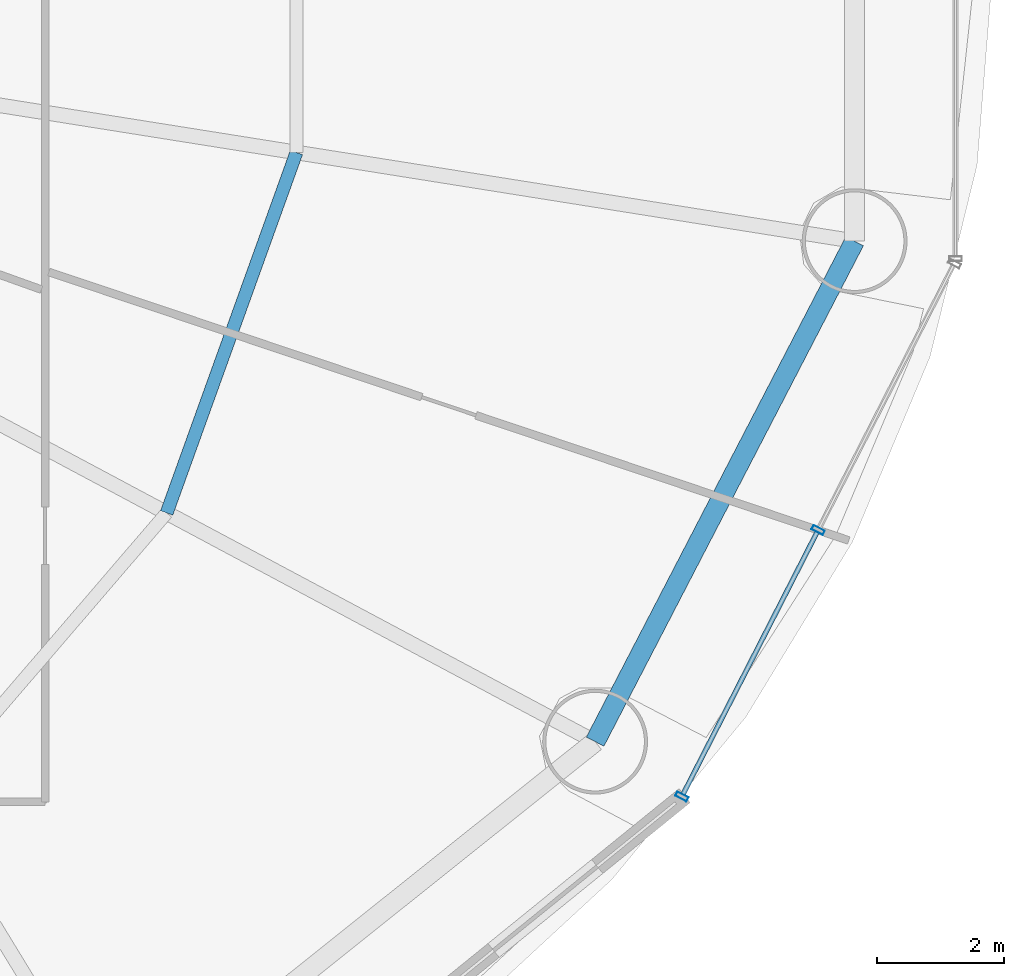
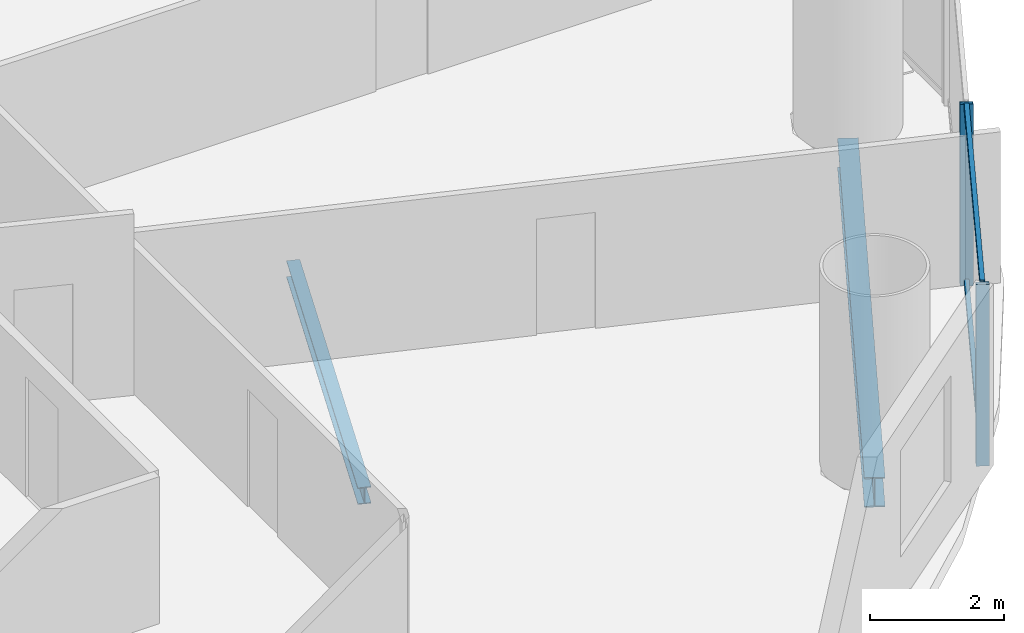
# One storey, part 13 of 30: 4 members, 2 beams, 1 element without a shape of its own.
"""IFC4 building model written with IfcOpenShell, lengths in metres."""

from ifc_helpers import new_model, si_unit, direction, frame, origin, origin_2d, place, context, subcontext, project, spatial, hollow_rectangle, i_section, extrude, source, transform, mapped, material, material_profile, profile_set, type_object, element, aggregate, save


model = new_model("IFC4")

# Units and contexts
model_context = context("Model", 3, precision=1e-05, world=origin(), true_north=direction((-0.2419218956, 0.970295726276)))
body_context = subcontext(model_context, "Body", "Model", "MODEL_VIEW")
ifc_project = project(units=[si_unit("LENGTHUNIT", "METRE"), si_unit("AREAUNIT", "SQUARE_METRE"), si_unit("VOLUMEUNIT", "CUBIC_METRE"), si_unit("PLANEANGLEUNIT", "RADIAN"), si_unit("MASSUNIT", "GRAM", prefix="KILO")], contexts=[model_context])

# Site, building, storey
site_placement = place(None, origin())
site = spatial("IfcSite", under=ifc_project, at=site_placement, CompositionType="ELEMENT")
building_placement = place(site_placement, origin())
building = spatial("IfcBuilding", under=site, at=building_placement, Name="Cobrevalo Terracotta Tower", CompositionType="ELEMENT")
storey_placement = place(building_placement, frame((0.0, 0.0, 63.60009765625)))
storey = spatial("IfcBuildingStorey", under=building, at=storey_placement, Name="L16", CompositionType="ELEMENT", Elevation=63.60009765625)

# Beams
ifc_material_1 = material(Name="Steel S355", Category="steel")
ifc_material_profile_1 = material_profile(ifc_material_1, i_section(OverallWidth=0.2041015625, OverallDepth=0.305908203125, WebThickness=0.008544921875, FlangeThickness=0.0146484375, at=origin_2d()), Name="W 310x67")
ifc_profile_set_1 = profile_set([ifc_material_profile_1], Name="Steel S355")
beam_type_1 = type_object("IfcBeamType", Name="Structural Joist W 310x67 (Steel S355)", PredefinedType="JOIST", material=ifc_profile_set_1)
beam_1_placement = place(storey_placement, frame((53.997802734375, 18.26025390625, -0.43310546875), z_axis=(0.338672151116, 0.940904444701, 0.0), x_axis=(-0.940904444701, 0.338672151116, 0.0)))
element("IfcBeam", 1, at=beam_1_placement, inside=storey, type_object=beam_type_1, Name="L16 circumferential secondary floor joist 15", PredefinedType="JOIST", context=body_context, shape_type="SweptSolid", body=[
    extrude(i_section(OverallWidth=0.2041015625, OverallDepth=0.305908203125, WebThickness=0.008544921875, FlangeThickness=0.0146484375, at=origin_2d()), origin(), (0.0, 0.0, 1.0), 6.029296875),
])
ifc_material_profile_2 = material_profile(ifc_material_1, i_section(OverallWidth=0.31201171875, OverallDepth=0.54296875, WebThickness=0.0126953125, FlangeThickness=0.020263671875, at=origin_2d()), Name="W 530x150")
ifc_profile_set_2 = profile_set([ifc_material_profile_2], Name="Steel S355")
beam_type_2 = type_object("IfcBeamType", Name="Structural Spandrel W 530x150 (Steel S355)", PredefinedType="SPANDREL", material=ifc_profile_set_2)
beam_2_placement = place(storey_placement, frame((60.74072265625, 14.660888671875, -0.551513671875), z_axis=(0.460285838799, 0.88777077368, 0.0), x_axis=(-0.88777077368, 0.460285838799, 0.0)))
element("IfcBeam", 2, at=beam_2_placement, inside=storey, type_object=beam_type_2, Name="L16 perimeter ring spandrel 15", PredefinedType="SPANDREL", context=body_context, shape_type="SweptSolid", body=[
    extrude(i_section(OverallWidth=0.31201171875, OverallDepth=0.54296875, WebThickness=0.0126953125, FlangeThickness=0.020263671875, at=origin_2d()), origin(), (0.0, 0.0, 1.0), 8.8720703125),
])

# Curtain wall, members
ifc_material_2 = material(Name="Anodized aluminium", Category="aluminium")
curtain_wall_type = type_object("IfcCurtainWallType", Name="Lower-tower unitised acoustic low-E curtain wall CW-U1", PredefinedType="NOTDEFINED", material=ifc_material_2)
curtain_wall_placement = place(storey_placement, origin())
curtain_wall = element("IfcCurtainWall", 3, at=curtain_wall_placement, inside=storey, type_object=curtain_wall_type, Name="L16 curtain wall CW-L16-S15", PredefinedType="NOTDEFINED")
ifc_material_profile_3 = material_profile(ifc_material_2, hollow_rectangle(XDim=0.074951171875, YDim=0.199951171875, WallThickness=0.0048828125, at=origin_2d()), Name="CWM 75x200")
ifc_profile_set_3 = profile_set([ifc_material_profile_3], Name="Anodized aluminium")
member_type_1 = type_object("IfcMemberType", Name="Lower/mid tower unitised mullion 75x200", PredefinedType="MULLION", material=ifc_profile_set_3)
shared_shape_1 = source(origin(), body_context, "Body", "SweptSolid", [
    extrude(hollow_rectangle(XDim=0.074951171875, YDim=0.199951171875, WallThickness=0.0048828125, at=origin_2d()), origin(), (0.0, 0.0, 1.0), 3.31982421875),
])
member_1_placement = place(storey_placement, frame((62.10595703125, 13.79638671875, 0.0), z_axis=(0.0, 0.0, 1.0), x_axis=(0.455234136597, 0.890371765543, 0.0)))
member_1 = element("IfcMember", 4, at=member_1_placement, type_object=member_type_1, Name="CW-L16-S15 vertical mullion 01", PredefinedType="MULLION", context=body_context, shape_type="MappedRepresentation", body=[
    mapped(shared_shape_1, transform((0.0, 0.0, 0.0), scale=1.0)),
])
member_2_placement = place(storey_placement, frame((64.25048828125, 17.990966796875, 0.0), z_axis=(0.0, 0.0, 1.0), x_axis=(0.455234136597, 0.890371765543, 0.0)))
member_2 = element("IfcMember", 5, at=member_2_placement, type_object=member_type_1, Name="CW-L16-S15 vertical mullion 02", PredefinedType="MULLION", context=body_context, shape_type="MappedRepresentation", body=[
    mapped(shared_shape_1, transform((0.0, 0.0, 0.0), scale=1.0)),
])
ifc_material_profile_4 = material_profile(ifc_material_2, hollow_rectangle(XDim=0.074951171875, YDim=0.14990234375, WallThickness=0.00439453125, at=origin_2d()), Name="CWT 75x150")
ifc_profile_set_4 = profile_set([ifc_material_profile_4], Name="Anodized aluminium")
member_type_2 = type_object("IfcMemberType", Name="Tower unitised aluminium transom 75x150", PredefinedType="USERDEFINED", material=ifc_profile_set_4)
shared_shape_2 = source(origin(), body_context, "Body", "SweptSolid", [
    extrude(hollow_rectangle(XDim=0.074951171875, YDim=0.14990234375, WallThickness=0.00439453125, at=origin_2d()), origin(), (0.0, 0.0, 1.0), 4.631103515625),
])
member_3_placement = place(storey_placement, frame((62.1240234375, 13.83203125, 0.0498046875), z_axis=(0.455271744945, 0.89035253594, 0.0), x_axis=(-0.89035253594, 0.455271744945, 0.0)))
member_3 = element("IfcMember", 6, at=member_3_placement, type_object=member_type_2, Name="CW-L16-S15 transom B01-T1", ObjectType="TRANSOM", PredefinedType="USERDEFINED", context=body_context, shape_type="MappedRepresentation", body=[
    mapped(shared_shape_2, transform((0.0, 0.0, 0.0), scale=1.0)),
])
member_4_placement = place(storey_placement, frame((62.1240234375, 13.83203125, 3.27001953125), z_axis=(0.455271744945, 0.89035253594, 0.0), x_axis=(-0.89035253594, 0.455271744945, 0.0)))
member_4 = element("IfcMember", 7, at=member_4_placement, type_object=member_type_2, Name="CW-L16-S15 transom B01-T2", ObjectType="TRANSOM", PredefinedType="USERDEFINED", context=body_context, shape_type="MappedRepresentation", body=[
    mapped(shared_shape_2, transform((0.0, 0.0, 0.0), scale=1.0)),
])
aggregate(curtain_wall, [member_1, member_2, member_3, member_4])

save(model, "model.ifc")
